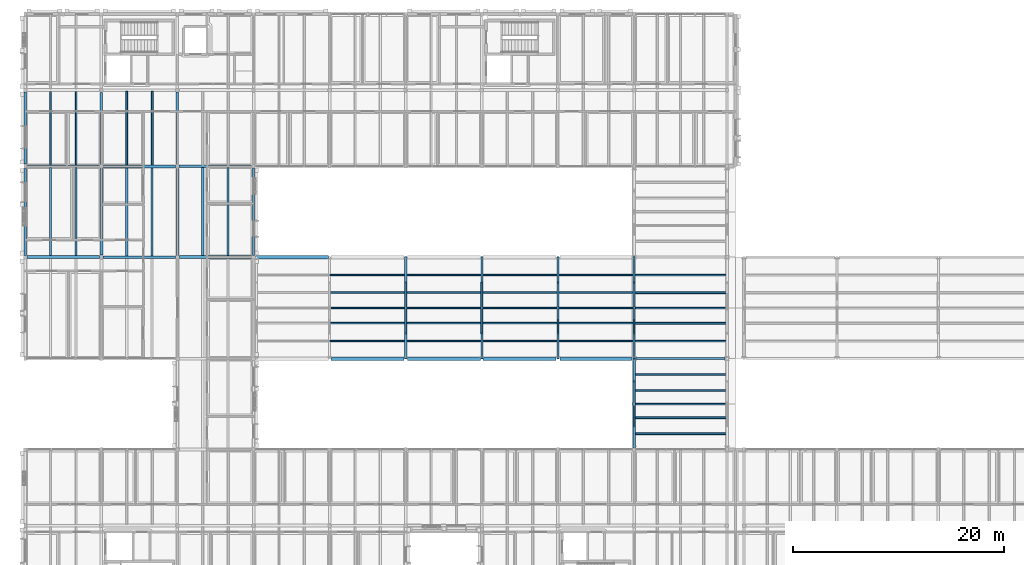
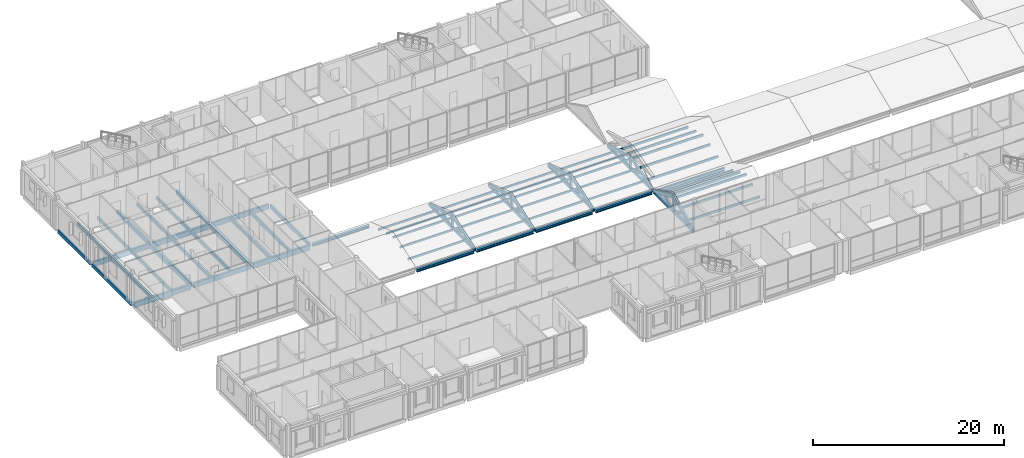
# One storey, part 19 of 115: 60 members, 29 beams.
"""IFC4 building model written with IfcOpenShell, lengths in metres."""

from ifc_helpers import new_model, si_unit, direction, frame, origin, origin_2d, place, context, subcontext, project, spatial, rectangle, i_section, extrude, material, material_profile, profile_set, type_object, element, save


model = new_model("IFC4")

# Units and contexts
model_context = context("Model", 3, precision=1e-05, world=origin(), true_north=direction((0.0, 1.0)))
body_context = subcontext(model_context, "Body", "Model", "MODEL_VIEW")
ifc_project = project(units=[si_unit("LENGTHUNIT", "METRE"), si_unit("AREAUNIT", "SQUARE_METRE"), si_unit("VOLUMEUNIT", "CUBIC_METRE"), si_unit("PLANEANGLEUNIT", "RADIAN"), si_unit("MASSUNIT", "GRAM", prefix="KILO")], contexts=[model_context])

# Site, building, storey
site_placement = place(None, origin())
site = spatial("IfcSite", under=ifc_project, at=site_placement, CompositionType="ELEMENT")
building_placement = place(site_placement, origin())
building = spatial("IfcBuilding", under=site, at=building_placement, Name="Hawrajan Terrace Health Centre", CompositionType="ELEMENT")
storey_placement = place(building_placement, frame((0.0, 0.0, 9.0)))
storey = spatial("IfcBuildingStorey", under=building, at=storey_placement, Name="L02", CompositionType="ELEMENT", Elevation=9.0)

# Beams
ifc_material_1 = material(Name="Glulam GL32h", Category="wood")
ifc_material_profile_1 = material_profile(ifc_material_1, rectangle(XDim=0.239990234375, YDim=0.52001953125, at=origin_2d()), Name="GL BM 240x520")
ifc_profile_set_1 = profile_set([ifc_material_profile_1], Name="Glulam GL32h")
beam_type_1 = type_object("IfcBeamType", Name="GlulamGirder_240x520", PredefinedType="BEAM", material=ifc_profile_set_1)
for number, where, z_axis, x_axis, name in (
    (1, (11.800048828125, 45.580078125, -0.5), (0.0, 1.0, 0.0), (-1.0, 0.0, 0.0), "Beam BM-Y-L02-W-X02-6"),
    (2, (19.0, 45.610107421875, -0.5), (0.0, 1.0, 0.0), (-1.0, 0.0, 0.0), "Beam BM-Y-L02-W-X03-6"),
):
    element("IfcBeam", number, at=place(storey_placement, frame(where, z_axis=z_axis, x_axis=x_axis)), inside=storey, type_object=beam_type_1, Name=name, PredefinedType="BEAM", context=body_context, shape_type="SweptSolid", body=[
        extrude(rectangle(XDim=0.239990234375, YDim=0.52001953125, at=origin_2d()), origin(), (0.0, 0.0, 1.0), 6.809814453125),
    ])
ifc_material_profile_2 = material_profile(ifc_material_1, rectangle(XDim=0.239990234375, YDim=0.60009765625, at=origin_2d()), Name="GL BM 240x600")
ifc_profile_set_2 = profile_set([ifc_material_profile_2], Name="Glulam GL32h")
beam_type_2 = type_object("IfcBeamType", Name="GlulamGirder_240x600", PredefinedType="BEAM", material=ifc_profile_set_2)
for number, where, z_axis, x_axis, name in (
    (3, (4.760009765625, 45.39990234375, -0.5400390625), (1.0, 0.0, 0.0), (0.0, 1.0, 0.0), "Beam BM-X-L02-W-01-Y6"),
    (4, (11.9599609375, 36.800048828125, -0.5400390625), (1.0, 0.0, 0.0), (0.0, 1.0, 0.0), "Beam BM-X-L02-W-02-Y5"),
    (5, (19.159912109375, 45.39990234375, -0.5400390625), (1.0, 0.0, 0.0), (0.0, 1.0, 0.0), "Beam BM-X-L02-W-03-Y6"),
):
    element("IfcBeam", number, at=place(storey_placement, frame(where, z_axis=z_axis, x_axis=x_axis)), inside=storey, type_object=beam_type_2, Name=name, PredefinedType="BEAM", context=body_context, shape_type="SweptSolid", body=[
        extrude(rectangle(XDim=0.239990234375, YDim=0.60009765625, at=origin_2d()), origin(), (0.0, 0.0, 1.0), 6.860107421875),
    ])
ifc_material_profile_3 = material_profile(ifc_material_1, rectangle(XDim=0.280029296875, YDim=0.639892578125, at=origin_2d()), Name="GL BM 280x640")
ifc_profile_set_3 = profile_set([ifc_material_profile_3], Name="Glulam GL32h")
beam_type_3 = type_object("IfcBeamType", Name="GlulamGirder_280x640", PredefinedType="BEAM", material=ifc_profile_set_3)
beam_1_placement = place(storey_placement, frame((4.780029296875, 36.800048828125, -0.56005859375), z_axis=(1.0, 0.0, 0.0), x_axis=(0.0, 1.0, 0.0)))
element("IfcBeam", 6, at=beam_1_placement, inside=storey, type_object=beam_type_3, Name="Beam BM-X-L02-W-01-Y5", PredefinedType="BEAM", context=body_context, shape_type="SweptSolid", body=[
    extrude(rectangle(XDim=0.280029296875, YDim=0.639892578125, at=origin_2d()), origin(), (0.0, 0.0, 1.0), 6.85986328125),
])
beam_2_placement = place(storey_placement, frame((11.97998046875, 45.39990234375, -0.56005859375), z_axis=(1.0, 0.0, 0.0), x_axis=(0.0, 1.0, 0.0)))
element("IfcBeam", 7, at=beam_2_placement, inside=storey, type_object=beam_type_3, Name="Beam BM-X-L02-W-02-Y6", PredefinedType="BEAM", context=body_context, shape_type="SweptSolid", body=[
    extrude(rectangle(XDim=0.280029296875, YDim=0.639892578125, at=origin_2d()), origin(), (0.0, 0.0, 1.0), 6.860107421875),
])
beam_3_placement = place(storey_placement, frame((19.179931640625, 36.800048828125, -0.56005859375), z_axis=(1.0, 0.0, 0.0), x_axis=(0.0, 1.0, 0.0)))
element("IfcBeam", 8, at=beam_3_placement, inside=storey, type_object=beam_type_3, Name="Beam BM-X-L02-W-03-Y5", PredefinedType="BEAM", context=body_context, shape_type="SweptSolid", body=[
    extrude(rectangle(XDim=0.280029296875, YDim=0.639892578125, at=origin_2d()), origin(), (0.0, 0.0, 1.0), 6.840087890625),
])
for number, where, z_axis, x_axis, name in (
    (9, (11.800048828125, 37.010009765625, -0.56005859375), (0.0, 1.0, 0.0), (-1.0, 0.0, 0.0), "Beam BM-Y-L02-W-X02-5"),
    (10, (19.0, 36.97998046875, -0.56005859375), (0.0, 1.0, 0.0), (-1.0, 0.0, 0.0), "Beam BM-Y-L02-W-X03-5"),
):
    element("IfcBeam", number, at=place(storey_placement, frame(where, z_axis=z_axis, x_axis=x_axis)), inside=storey, type_object=beam_type_3, Name=name, PredefinedType="BEAM", context=body_context, shape_type="SweptSolid", body=[
        extrude(rectangle(XDim=0.280029296875, YDim=0.639892578125, at=origin_2d()), origin(), (0.0, 0.0, 1.0), 8.2099609375),
    ])
ifc_material_2 = material(Name="Glulam GL28h", Category="wood")
ifc_material_profile_4 = material_profile(ifc_material_2, rectangle(XDim=0.159912109375, YDim=0.360107421875, at=origin_2d()), Name="GL JST 160x360")
ifc_profile_set_4 = profile_set([ifc_material_profile_4], Name="Glulam GL28h")
beam_type_4 = type_object("IfcBeamType", Name="GlulamJoist_160x360", PredefinedType="JOIST", material=ifc_profile_set_4)
for number, where, z_axis, x_axis, name in (
    (11, (7.0, 45.52001953125, -0.419921875), (0.0, 1.0, 0.0), (-1.0, 0.0, 0.0), "Secondary joist JST-L02-W-01-6-1"),
    (12, (14.199951171875, 45.5400390625, -0.419921875), (0.0, 1.0, 0.0), (-1.0, 0.0, 0.0), "Secondary joist JST-L02-W-02-6-1"),
):
    element("IfcBeam", number, at=place(storey_placement, frame(where, z_axis=z_axis, x_axis=x_axis)), inside=storey, type_object=beam_type_4, Name=name, PredefinedType="JOIST", context=body_context, shape_type="SweptSolid", body=[
        extrude(rectangle(XDim=0.159912109375, YDim=0.360107421875, at=origin_2d()), origin(), (0.0, 0.0, 1.0), 6.93994140625),
    ])
ifc_material_profile_5 = material_profile(ifc_material_2, rectangle(XDim=0.179931640625, YDim=0.39990234375, at=origin_2d()), Name="GL JST 180x400")
ifc_profile_set_5 = profile_set([ifc_material_profile_5], Name="Glulam GL28h")
beam_type_5 = type_object("IfcBeamType", Name="GlulamJoist_180x400", PredefinedType="JOIST", material=ifc_profile_set_5)
for number, where, z_axis, x_axis, name in (
    (13, (9.39990234375, 45.52001953125, -0.43994140625), (0.0, 1.0, 0.0), (-1.0, 0.0, 0.0), "Secondary joist JST-L02-W-01-6-2"),
    (14, (16.60009765625, 45.5400390625, -0.43994140625), (0.0, 1.0, 0.0), (-1.0, 0.0, 0.0), "Secondary joist JST-L02-W-02-6-2"),
):
    element("IfcBeam", number, at=place(storey_placement, frame(where, z_axis=z_axis, x_axis=x_axis)), inside=storey, type_object=beam_type_5, Name=name, PredefinedType="JOIST", context=body_context, shape_type="SweptSolid", body=[
        extrude(rectangle(XDim=0.179931640625, YDim=0.39990234375, at=origin_2d()), origin(), (0.0, 0.0, 1.0), 6.93994140625),
    ])
ifc_material_profile_6 = material_profile(ifc_material_2, rectangle(XDim=0.199951171875, YDim=0.419921875, at=origin_2d()), Name="GL JST 200x420")
ifc_profile_set_6 = profile_set([ifc_material_profile_6], Name="Glulam GL28h")
beam_type_6 = type_object("IfcBeamType", Name="GlulamJoist_200x420", PredefinedType="JOIST", material=ifc_profile_set_6)
for number, where, z_axis, x_axis, name in (
    (15, (7.0, 36.93994140625, -0.449951171875), (0.0, 1.0, 0.0), (-1.0, 0.0, 0.0), "Secondary joist JST-L02-W-01-5-1"),
    (16, (9.39990234375, 36.93994140625, -0.449951171875), (0.0, 1.0, 0.0), (-1.0, 0.0, 0.0), "Secondary joist JST-L02-W-01-5-2"),
    (17, (14.199951171875, 36.919921875, -0.449951171875), (0.0, 1.0, 0.0), (-1.0, 0.0, 0.0), "Secondary joist JST-L02-W-02-5-1"),
    (18, (16.60009765625, 36.919921875, -0.449951171875), (0.0, 1.0, 0.0), (-1.0, 0.0, 0.0), "Secondary joist JST-L02-W-02-5-2"),
    (19, (21.39990234375, 36.93994140625, -0.449951171875), (0.0, 1.0, 0.0), (-1.0, 0.0, 0.0), "Secondary joist JST-L02-W-03-5-1"),
    (20, (23.800048828125, 36.93994140625, -0.449951171875), (0.0, 1.0, 0.0), (-1.0, 0.0, 0.0), "Secondary joist JST-L02-W-03-5-2"),
):
    element("IfcBeam", number, at=place(storey_placement, frame(where, z_axis=z_axis, x_axis=x_axis)), inside=storey, type_object=beam_type_6, Name=name, PredefinedType="JOIST", context=body_context, shape_type="SweptSolid", body=[
        extrude(rectangle(XDim=0.199951171875, YDim=0.419921875, at=origin_2d()), origin(), (0.0, 0.0, 1.0), 8.340087890625),
    ])
ifc_material_profile_7 = material_profile(ifc_material_1, rectangle(XDim=0.199951171875, YDim=0.4599609375, at=origin_2d()), Name="GL SP 200x460")
ifc_profile_set_7 = profile_set([ifc_material_profile_7], Name="Glulam GL32h")
beam_type_7 = type_object("IfcBeamType", Name="GlulamSpandrel_200x460", PredefinedType="SPANDREL", material=ifc_profile_set_7)
beam_4_placement = place(storey_placement, frame((4.60009765625, 36.97998046875, -0.469970703125), z_axis=(0.0, 1.0, 0.0), x_axis=(-1.0, 0.0, 0.0)))
element("IfcBeam", 21, at=beam_4_placement, inside=storey, type_object=beam_type_7, Name="Beam BM-Y-L02-W-X01-5", PredefinedType="SPANDREL", context=body_context, shape_type="SweptSolid", body=[
    extrude(rectangle(XDim=0.199951171875, YDim=0.4599609375, at=origin_2d()), origin(), (0.0, 0.0, 1.0), 8.2099609375),
])
beam_5_placement = place(storey_placement, frame((4.60009765625, 45.610107421875, -0.469970703125), z_axis=(0.0, 1.0, 0.0), x_axis=(-1.0, 0.0, 0.0)))
element("IfcBeam", 22, at=beam_5_placement, inside=storey, type_object=beam_type_7, Name="Beam BM-Y-L02-W-X01-6", PredefinedType="SPANDREL", context=body_context, shape_type="SweptSolid", body=[
    extrude(rectangle(XDim=0.199951171875, YDim=0.4599609375, at=origin_2d()), origin(), (0.0, 0.0, 1.0), 6.809814453125),
])
beam_6_placement = place(storey_placement, frame((26.199951171875, 36.97998046875, -0.469970703125), z_axis=(0.0, 1.0, 0.0), x_axis=(-1.0, 0.0, 0.0)))
element("IfcBeam", 23, at=beam_6_placement, inside=storey, type_object=beam_type_7, Name="Beam BM-Y-L02-W-X04-5", PredefinedType="SPANDREL", context=body_context, shape_type="SweptSolid", body=[
    extrude(rectangle(XDim=0.199951171875, YDim=0.4599609375, at=origin_2d()), origin(), (0.0, 0.0, 1.0), 8.239990234375),
])

# Members
ifc_material_profile_8 = material_profile(ifc_material_2, rectangle(XDim=0.139892578125, YDim=0.239990234375, at=origin_2d()), Name="GL PUR 140x240")
ifc_profile_set_8 = profile_set([ifc_material_profile_8], Name="Glulam GL28h")
member_type_1 = type_object("IfcMemberType", Name="RoofPurlin_140x240", PredefinedType="PURLIN", material=ifc_profile_set_8)
for number, where, z_axis, x_axis, name in (
    (24, (33.39990234375, 28.8798828125, 0.077880859375), (1.0, 0.0, 0.0), (0.0, 1.0, 0.0), "Tent roof purlin 05-TRS-S1"),
    (25, (33.39990234375, 35.1201171875, 0.077880859375), (1.0, 0.0, 0.0), (0.0, 1.0, 0.0), "Tent roof purlin 05-TRS-N1"),
    (26, (33.39990234375, 30.56005859375, 0.595947265625), (1.0, 0.0, 0.0), (0.0, 1.0, 0.0), "Tent roof purlin 05-TRS-S2"),
    (27, (33.39990234375, 33.43994140625, 0.595947265625), (1.0, 0.0, 0.0), (0.0, 1.0, 0.0), "Tent roof purlin 05-TRS-N2"),
    (28, (33.39990234375, 32.0, 0.97998046875), (1.0, 0.0, 0.0), (0.0, 1.0, 0.0), "Tent ridge purlin 05-TRS"),
):
    element("IfcMember", number, at=place(storey_placement, frame(where, z_axis=z_axis, x_axis=x_axis)), inside=storey, type_object=member_type_1, Name=name, PredefinedType="PURLIN", context=body_context, shape_type="SweptSolid", body=[
        extrude(rectangle(XDim=0.139892578125, YDim=0.239990234375, at=origin_2d()), origin(), (0.0, 0.0, 1.0), 7.2001953125),
    ])
for number, where, z_axis, x_axis, name in (
    (29, (40.60009765625, 28.8798828125, 0.077880859375), (1.0, 0.0, 0.0), (0.0, 1.0, 0.0), "Tent roof purlin 06-TRS-S1"),
    (30, (40.60009765625, 35.1201171875, 0.077880859375), (1.0, 0.0, 0.0), (0.0, 1.0, 0.0), "Tent roof purlin 06-TRS-N1"),
    (31, (40.60009765625, 30.56005859375, 0.595947265625), (1.0, 0.0, 0.0), (0.0, 1.0, 0.0), "Tent roof purlin 06-TRS-S2"),
    (32, (40.60009765625, 33.43994140625, 0.595947265625), (1.0, 0.0, 0.0), (0.0, 1.0, 0.0), "Tent roof purlin 06-TRS-N2"),
    (33, (40.60009765625, 32.0, 0.97998046875), (1.0, 0.0, 0.0), (0.0, 1.0, 0.0), "Tent ridge purlin 06-TRS"),
    (34, (47.800048828125, 28.8798828125, 0.077880859375), (1.0, 0.0, 0.0), (0.0, 1.0, 0.0), "Tent roof purlin 07-TRS-S1"),
    (35, (47.800048828125, 35.1201171875, 0.077880859375), (1.0, 0.0, 0.0), (0.0, 1.0, 0.0), "Tent roof purlin 07-TRS-N1"),
    (36, (47.800048828125, 30.56005859375, 0.595947265625), (1.0, 0.0, 0.0), (0.0, 1.0, 0.0), "Tent roof purlin 07-TRS-S2"),
    (37, (47.800048828125, 33.43994140625, 0.595947265625), (1.0, 0.0, 0.0), (0.0, 1.0, 0.0), "Tent roof purlin 07-TRS-N2"),
    (38, (47.800048828125, 32.0, 0.97998046875), (1.0, 0.0, 0.0), (0.0, 1.0, 0.0), "Tent ridge purlin 07-TRS"),
    (39, (55.0, 28.8798828125, 0.077880859375), (1.0, 0.0, 0.0), (0.0, 1.0, 0.0), "Tent roof purlin 08-TRS-S1"),
    (40, (55.0, 35.1201171875, 0.077880859375), (1.0, 0.0, 0.0), (0.0, 1.0, 0.0), "Tent roof purlin 08-TRS-N1"),
    (41, (55.0, 30.56005859375, 0.595947265625), (1.0, 0.0, 0.0), (0.0, 1.0, 0.0), "Tent roof purlin 08-TRS-S2"),
    (42, (55.0, 33.43994140625, 0.595947265625), (1.0, 0.0, 0.0), (0.0, 1.0, 0.0), "Tent roof purlin 08-TRS-N2"),
    (43, (55.0, 32.0, 0.97998046875), (1.0, 0.0, 0.0), (0.0, 1.0, 0.0), "Tent ridge purlin 08-TRS"),
):
    element("IfcMember", number, at=place(storey_placement, frame(where, z_axis=z_axis, x_axis=x_axis)), inside=storey, type_object=member_type_1, Name=name, PredefinedType="PURLIN", context=body_context, shape_type="SweptSolid", body=[
        extrude(rectangle(XDim=0.139892578125, YDim=0.239990234375, at=origin_2d()), origin(), (0.0, 0.0, 1.0), 7.199951171875),
    ])
ifc_material_profile_9 = material_profile(ifc_material_2, rectangle(XDim=0.159912109375, YDim=0.280029296875, at=origin_2d()), Name="GL PUR 160x280")
ifc_profile_set_9 = profile_set([ifc_material_profile_9], Name="Glulam GL28h")
member_type_2 = type_object("IfcMemberType", Name="RoofPurlin_160x280", PredefinedType="PURLIN", material=ifc_profile_set_9)
for number, where, z_axis, x_axis, name in (
    (44, (62.199951171875, 20.10498046875, 0.241455078125), (1.0, 0.0, 0.0), (0.0, 1.0, 0.0), "Tent roof purlin 09-TRL-SC-S1"),
    (45, (62.199951171875, 25.695068359375, 0.241455078125), (1.0, 0.0, 0.0), (0.0, 1.0, 0.0), "Tent roof purlin 09-TRL-SC-N1"),
    (46, (62.199951171875, 21.610107421875, 0.9228515625), (1.0, 0.0, 0.0), (0.0, 1.0, 0.0), "Tent roof purlin 09-TRL-SC-S2"),
    (47, (62.199951171875, 24.18994140625, 0.9228515625), (1.0, 0.0, 0.0), (0.0, 1.0, 0.0), "Tent roof purlin 09-TRL-SC-N2"),
    (48, (62.199951171875, 22.89990234375, 1.447021484375), (1.0, 0.0, 0.0), (0.0, 1.0, 0.0), "Tent ridge purlin 09-TRL-SC"),
    (49, (62.199951171875, 28.8798828125, 0.077880859375), (1.0, 0.0, 0.0), (0.0, 1.0, 0.0), "Tent roof purlin 09-TRL-M-S1"),
    (50, (62.199951171875, 35.1201171875, 0.077880859375), (1.0, 0.0, 0.0), (0.0, 1.0, 0.0), "Tent roof purlin 09-TRL-M-N1"),
    (51, (62.199951171875, 30.56005859375, 0.595947265625), (1.0, 0.0, 0.0), (0.0, 1.0, 0.0), "Tent roof purlin 09-TRL-M-S2"),
    (52, (62.199951171875, 33.43994140625, 0.595947265625), (1.0, 0.0, 0.0), (0.0, 1.0, 0.0), "Tent roof purlin 09-TRL-M-N2"),
    (53, (62.199951171875, 32.0, 0.97998046875), (1.0, 0.0, 0.0), (0.0, 1.0, 0.0), "Tent ridge purlin 09-TRL-M"),
):
    element("IfcMember", number, at=place(storey_placement, frame(where, z_axis=z_axis, x_axis=x_axis)), inside=storey, type_object=member_type_2, Name=name, PredefinedType="PURLIN", context=body_context, shape_type="SweptSolid", body=[
        extrude(rectangle(XDim=0.159912109375, YDim=0.280029296875, at=origin_2d()), origin(), (0.0, 0.0, 1.0), 8.800048828125),
    ])

# Beams
ifc_material_3 = material(Name="Steel S355", Category="steel")
ifc_material_profile_10 = material_profile(ifc_material_3, i_section(OverallWidth=0.300048828125, OverallDepth=0.35009765625, WebThickness=0.010009765625, FlangeThickness=0.017578125, FilletRadius=0.027099609375, at=origin_2d()), Name="HEA 360")
ifc_profile_set_10 = profile_set([ifc_material_profile_10], Name="Steel S355")
beam_type_8 = type_object("IfcBeamType", Name="SteelBeam_HEA360", PredefinedType="BEAM", material=ifc_profile_set_10)
beam_7_placement = place(storey_placement, frame((26.3798828125, 36.800048828125, -0.4150390625), z_axis=(1.0, 0.0, 0.0), x_axis=(0.0, 1.0, 0.0)))
element("IfcBeam", 54, at=beam_7_placement, inside=storey, type_object=beam_type_8, Name="Beam BM-X-L02-W-04-Y5", PredefinedType="BEAM", context=body_context, shape_type="SweptSolid", body=[
    extrude(i_section(OverallWidth=0.300048828125, OverallDepth=0.35009765625, WebThickness=0.010009765625, FlangeThickness=0.017578125, FilletRadius=0.027099609375, at=origin_2d()), origin(), (0.0, 0.0, 1.0), 6.91064453125),
])
for number, where, z_axis, x_axis, name in (
    (55, (33.509521484375, 27.199951171875, -0.375), (1.0, 0.0, 0.0), (0.0, 1.0, 0.0), "Beam BM-X-L02-W-05-Y4"),
    (56, (40.75, 27.199951171875, -0.375), (1.0, 0.0, 0.0), (0.0, 1.0, 0.0), "Beam BM-X-L02-W-06-Y4"),
):
    element("IfcBeam", number, at=place(storey_placement, frame(where, z_axis=z_axis, x_axis=x_axis)), inside=storey, type_object=beam_type_8, Name=name, PredefinedType="BEAM", context=body_context, shape_type="SweptSolid", body=[
        extrude(i_section(OverallWidth=0.300048828125, OverallDepth=0.35009765625, WebThickness=0.010009765625, FlangeThickness=0.017578125, FilletRadius=0.027099609375, at=origin_2d()), origin(), (0.0, 0.0, 1.0), 6.9404296875),
    ])
beam_8_placement = place(storey_placement, frame((47.90966796875, 27.199951171875, -0.375), z_axis=(1.0, 0.0, 0.0), x_axis=(0.0, 1.0, 0.0)))
element("IfcBeam", 57, at=beam_8_placement, inside=storey, type_object=beam_type_8, Name="Beam BM-X-L02-W-07-Y4", PredefinedType="BEAM", context=body_context, shape_type="SweptSolid", body=[
    extrude(i_section(OverallWidth=0.300048828125, OverallDepth=0.35009765625, WebThickness=0.010009765625, FlangeThickness=0.017578125, FilletRadius=0.027099609375, at=origin_2d()), origin(), (0.0, 0.0, 1.0), 6.910400390625),
])
beam_9_placement = place(storey_placement, frame((55.179931640625, 27.199951171875, -0.375), z_axis=(1.0, 0.0, 0.0), x_axis=(0.0, 1.0, 0.0)))
element("IfcBeam", 58, at=beam_9_placement, inside=storey, type_object=beam_type_8, Name="Beam BM-X-L02-W-08-Y4", PredefinedType="BEAM", context=body_context, shape_type="SweptSolid", body=[
    extrude(i_section(OverallWidth=0.300048828125, OverallDepth=0.35009765625, WebThickness=0.010009765625, FlangeThickness=0.017578125, FilletRadius=0.027099609375, at=origin_2d()), origin(), (0.0, 0.0, 1.0), 6.840087890625),
])
ifc_material_profile_11 = material_profile(ifc_material_3, i_section(OverallWidth=0.18994140625, OverallDepth=0.449951171875, WebThickness=0.009521484375, FlangeThickness=0.0146484375, FilletRadius=0.02099609375, at=origin_2d()), Name="IPE 450")
ifc_profile_set_11 = profile_set([ifc_material_profile_11], Name="Steel S355")
beam_type_9 = type_object("IfcBeamType", Name="SteelBeam_IPE450", PredefinedType="BEAM", material=ifc_profile_set_11)
beam_10_placement = place(storey_placement, frame((62.3798828125, 27.199951171875, -0.425048828125), z_axis=(1.0, 0.0, 0.0), x_axis=(0.0, 1.0, 0.0)))
element("IfcBeam", 59, at=beam_10_placement, inside=storey, type_object=beam_type_9, Name="Beam BM-X-L02-W-09-Y4", PredefinedType="BEAM", context=body_context, shape_type="SweptSolid", body=[
    extrude(i_section(OverallWidth=0.18994140625, OverallDepth=0.449951171875, WebThickness=0.009521484375, FlangeThickness=0.0146484375, FilletRadius=0.02099609375, at=origin_2d()), origin(), (0.0, 0.0, 1.0), 8.440185546875),
])

# Members
ifc_material_profile_12 = material_profile(ifc_material_1, rectangle(XDim=0.199951171875, YDim=0.340087890625, at=origin_2d()), Name="GL CHD 200x340")
ifc_profile_set_12 = profile_set([ifc_material_profile_12], Name="Glulam GL32h")
member_type_3 = type_object("IfcMemberType", Name="TrussChord_200x340", PredefinedType="CHORD", material=ifc_profile_set_12)
member_1_placement = place(storey_placement, frame((40.60009765625, 27.199951171875, -0.219970703125), z_axis=(0.0, 1.0, 0.0), x_axis=(-1.0, 0.0, 0.0)))
element("IfcMember", 60, at=member_1_placement, inside=storey, type_object=member_type_3, Name="Glulam truss tie chord W-G06-TRS", PredefinedType="CHORD", context=body_context, shape_type="SweptSolid", body=[
    extrude(rectangle(XDim=0.199951171875, YDim=0.340087890625, at=origin_2d()), origin(), (0.0, 0.0, 1.0), 9.60009765625),
])
for number, where, z_axis, x_axis, name in (
    (61, (40.60009765625, 27.199951171875, -0.219970703125), (0.0, 0.955608602252, 0.294639100089), (-1.0, 0.0, 0.0), "Glulam truss south top chord W-G06-TRS"),
    (62, (40.60009765625, 32.0, 1.260009765625), (0.0, 0.955608602252, -0.294639100089), (-1.0, 0.0, 0.0), "Glulam truss north top chord W-G06-TRS"),
):
    element("IfcMember", number, at=place(storey_placement, frame(where, z_axis=z_axis, x_axis=x_axis)), inside=storey, type_object=member_type_3, Name=name, PredefinedType="CHORD", context=body_context, shape_type="SweptSolid", body=[
        extrude(rectangle(XDim=0.199951171875, YDim=0.340087890625, at=origin_2d()), origin(), (0.0, 0.0, 1.0), 5.02294921875),
    ])
member_2_placement = place(storey_placement, frame((47.800048828125, 27.199951171875, -0.219970703125), z_axis=(0.0, 1.0, 0.0), x_axis=(-1.0, 0.0, 0.0)))
element("IfcMember", 63, at=member_2_placement, inside=storey, type_object=member_type_3, Name="Glulam truss tie chord W-G07-TRS", PredefinedType="CHORD", context=body_context, shape_type="SweptSolid", body=[
    extrude(rectangle(XDim=0.199951171875, YDim=0.340087890625, at=origin_2d()), origin(), (0.0, 0.0, 1.0), 9.60009765625),
])
for number, where, z_axis, x_axis, name in (
    (64, (47.800048828125, 27.199951171875, -0.219970703125), (0.0, 0.955608602252, 0.294639100089), (-1.0, 0.0, 0.0), "Glulam truss south top chord W-G07-TRS"),
    (65, (47.800048828125, 32.0, 1.260009765625), (0.0, 0.955608602252, -0.294639100089), (-1.0, 0.0, 0.0), "Glulam truss north top chord W-G07-TRS"),
):
    element("IfcMember", number, at=place(storey_placement, frame(where, z_axis=z_axis, x_axis=x_axis)), inside=storey, type_object=member_type_3, Name=name, PredefinedType="CHORD", context=body_context, shape_type="SweptSolid", body=[
        extrude(rectangle(XDim=0.199951171875, YDim=0.340087890625, at=origin_2d()), origin(), (0.0, 0.0, 1.0), 5.02294921875),
    ])
member_3_placement = place(storey_placement, frame((55.0, 27.199951171875, -0.219970703125), z_axis=(0.0, 1.0, 0.0), x_axis=(-1.0, 0.0, 0.0)))
element("IfcMember", 66, at=member_3_placement, inside=storey, type_object=member_type_3, Name="Glulam truss tie chord W-G08-TRS", PredefinedType="CHORD", context=body_context, shape_type="SweptSolid", body=[
    extrude(rectangle(XDim=0.199951171875, YDim=0.340087890625, at=origin_2d()), origin(), (0.0, 0.0, 1.0), 9.60009765625),
])
for number, where, z_axis, x_axis, name in (
    (67, (55.0, 27.199951171875, -0.219970703125), (0.0, 0.955608602252, 0.294639100089), (-1.0, 0.0, 0.0), "Glulam truss south top chord W-G08-TRS"),
    (68, (55.0, 32.0, 1.260009765625), (0.0, 0.955608602252, -0.294639100089), (-1.0, 0.0, 0.0), "Glulam truss north top chord W-G08-TRS"),
):
    element("IfcMember", number, at=place(storey_placement, frame(where, z_axis=z_axis, x_axis=x_axis)), inside=storey, type_object=member_type_3, Name=name, PredefinedType="CHORD", context=body_context, shape_type="SweptSolid", body=[
        extrude(rectangle(XDim=0.199951171875, YDim=0.340087890625, at=origin_2d()), origin(), (0.0, 0.0, 1.0), 5.02294921875),
    ])
member_4_placement = place(storey_placement, frame((62.199951171875, 27.199951171875, -0.219970703125), z_axis=(0.0, 1.0, 0.0), x_axis=(-1.0, 0.0, 0.0)))
element("IfcMember", 69, at=member_4_placement, inside=storey, type_object=member_type_3, Name="Glulam truss tie chord W-G09-TRS", PredefinedType="CHORD", context=body_context, shape_type="SweptSolid", body=[
    extrude(rectangle(XDim=0.199951171875, YDim=0.340087890625, at=origin_2d()), origin(), (0.0, 0.0, 1.0), 9.60009765625),
])
for number, where, z_axis, x_axis, name in (
    (70, (62.199951171875, 27.199951171875, -0.219970703125), (0.0, 0.955608602252, 0.294639100089), (-1.0, 0.0, 0.0), "Glulam truss south top chord W-G09-TRS"),
    (71, (62.199951171875, 32.0, 1.260009765625), (0.0, 0.955608602252, -0.294639100089), (-1.0, 0.0, 0.0), "Glulam truss north top chord W-G09-TRS"),
):
    element("IfcMember", number, at=place(storey_placement, frame(where, z_axis=z_axis, x_axis=x_axis)), inside=storey, type_object=member_type_3, Name=name, PredefinedType="CHORD", context=body_context, shape_type="SweptSolid", body=[
        extrude(rectangle(XDim=0.199951171875, YDim=0.340087890625, at=origin_2d()), origin(), (0.0, 0.0, 1.0), 5.02294921875),
    ])
ifc_material_profile_13 = material_profile(ifc_material_1, rectangle(XDim=0.239990234375, YDim=0.43994140625, at=origin_2d()), Name="GL CHD 240x440")
ifc_profile_set_13 = profile_set([ifc_material_profile_13], Name="Glulam GL32h")
member_type_4 = type_object("IfcMemberType", Name="TrussChord_240x440", PredefinedType="CHORD", material=ifc_profile_set_13)
member_5_placement = place(storey_placement, frame((62.199951171875, 18.760009765625, -0.219970703125), z_axis=(0.0, 1.0, 0.0), x_axis=(-1.0, 0.0, 0.0)))
element("IfcMember", 72, at=member_5_placement, inside=storey, type_object=member_type_4, Name="Glulam truss tie chord W-G09-TRL-SC", PredefinedType="CHORD", context=body_context, shape_type="SweptSolid", body=[
    extrude(rectangle(XDim=0.239990234375, YDim=0.43994140625, at=origin_2d()), origin(), (0.0, 0.0, 1.0), 8.43994140625),
])
member_6_placement = place(storey_placement, frame((62.199951171875, 18.760009765625, -0.219970703125), z_axis=(0.0, 0.904916640753, 0.425588854751), x_axis=(-1.0, 0.0, 0.0)))
element("IfcMember", 73, at=member_6_placement, inside=storey, type_object=member_type_4, Name="Glulam truss south top chord W-G09-TRL-SC", PredefinedType="CHORD", context=body_context, shape_type="SweptSolid", body=[
    extrude(rectangle(XDim=0.239990234375, YDim=0.43994140625, at=origin_2d()), origin(), (0.0, 0.0, 1.0), 4.574951171875),
])
member_7_placement = place(storey_placement, frame((62.199951171875, 22.89990234375, 1.72705078125), z_axis=(0.0, 0.910967747983, -0.412477589858), x_axis=(-1.0, 0.0, 0.0)))
element("IfcMember", 74, at=member_7_placement, inside=storey, type_object=member_type_4, Name="Glulam truss north top chord W-G09-TRL-SC", PredefinedType="CHORD", context=body_context, shape_type="SweptSolid", body=[
    extrude(rectangle(XDim=0.239990234375, YDim=0.43994140625, at=origin_2d()), origin(), (0.0, 0.0, 1.0), 4.72021484375),
])
ifc_material_profile_14 = material_profile(ifc_material_2, rectangle(XDim=0.239990234375, YDim=0.239990234375, at=origin_2d()), Name="GL KP 240x240")
ifc_profile_set_14 = profile_set([ifc_material_profile_14], Name="Glulam GL28h")
member_type_5 = type_object("IfcMemberType", Name="TrussKingPost_240x240", PredefinedType="STRUT", material=ifc_profile_set_14)
for number, where, z_axis, x_axis, name in (
    (75, (40.60009765625, 32.0, -0.219970703125), (0.0, 0.0, 1.0), (1.0, 0.0, 0.0), "Glulam truss king post W-G06-TRS"),
    (76, (47.800048828125, 32.0, -0.219970703125), (0.0, 0.0, 1.0), (1.0, 0.0, 0.0), "Glulam truss king post W-G07-TRS"),
    (77, (55.0, 32.0, -0.219970703125), (0.0, 0.0, 1.0), (1.0, 0.0, 0.0), "Glulam truss king post W-G08-TRS"),
    (78, (62.199951171875, 32.0, -0.219970703125), (0.0, 0.0, 1.0), (1.0, 0.0, 0.0), "Glulam truss king post W-G09-TRS"),
):
    element("IfcMember", number, at=place(storey_placement, frame(where, z_axis=z_axis, x_axis=x_axis)), inside=storey, type_object=member_type_5, Name=name, PredefinedType="STRUT", context=body_context, shape_type="SweptSolid", body=[
        extrude(rectangle(XDim=0.239990234375, YDim=0.239990234375, at=origin_2d()), origin(), (0.0, 0.0, 1.0), 1.47998046875),
    ])
ifc_material_profile_15 = material_profile(ifc_material_2, rectangle(XDim=0.280029296875, YDim=0.280029296875, at=origin_2d()), Name="GL KP 280x280")
ifc_profile_set_15 = profile_set([ifc_material_profile_15], Name="Glulam GL28h")
member_type_6 = type_object("IfcMemberType", Name="TrussKingPost_280x280", PredefinedType="STRUT", material=ifc_profile_set_15)
member_8_placement = place(storey_placement, frame((62.199951171875, 22.89990234375, -0.219970703125), z_axis=(0.0, 0.0, 1.0), x_axis=(1.0, 0.0, 0.0)))
element("IfcMember", 79, at=member_8_placement, inside=storey, type_object=member_type_6, Name="Glulam truss king post W-G09-TRL-SC", PredefinedType="STRUT", context=body_context, shape_type="SweptSolid", body=[
    extrude(rectangle(XDim=0.280029296875, YDim=0.280029296875, at=origin_2d()), origin(), (0.0, 0.0, 1.0), 1.947021484375),
])
ifc_material_profile_16 = material_profile(ifc_material_2, rectangle(XDim=0.159912109375, YDim=0.239990234375, at=origin_2d()), Name="GL WEB 160x240")
ifc_profile_set_16 = profile_set([ifc_material_profile_16], Name="Glulam GL28h")
member_type_7 = type_object("IfcMemberType", Name="TrussStrut_160x240", PredefinedType="STRUT", material=ifc_profile_set_16)
for number, where, z_axis, x_axis, name in (
    (80, (40.60009765625, 32.0, -0.219970703125), (0.0, -0.955604382515, 0.294652785697), (1.0, 0.0, 0.0), "Glulam truss web strut S W-G06-TRS"),
    (81, (40.60009765625, 32.0, -0.219970703125), (0.0, 0.955604382515, 0.294652785697), (-1.0, 0.0, 0.0), "Glulam truss web strut N W-G06-TRS"),
    (82, (47.800048828125, 32.0, -0.219970703125), (0.0, -0.955604382515, 0.294652785697), (1.0, 0.0, 0.0), "Glulam truss web strut S W-G07-TRS"),
    (83, (47.800048828125, 32.0, -0.219970703125), (0.0, 0.955604382515, 0.294652785697), (-1.0, 0.0, 0.0), "Glulam truss web strut N W-G07-TRS"),
    (84, (55.0, 32.0, -0.219970703125), (0.0, -0.955604382515, 0.294652785697), (1.0, 0.0, 0.0), "Glulam truss web strut S W-G08-TRS"),
    (85, (55.0, 32.0, -0.219970703125), (0.0, 0.955604382515, 0.294652785697), (-1.0, 0.0, 0.0), "Glulam truss web strut N W-G08-TRS"),
    (86, (62.199951171875, 32.0, -0.219970703125), (0.0, -0.955604382515, 0.294652785697), (1.0, 0.0, 0.0), "Glulam truss web strut S W-G09-TRS"),
    (87, (62.199951171875, 32.0, -0.219970703125), (0.0, 0.955604382515, 0.294652785697), (-1.0, 0.0, 0.0), "Glulam truss web strut N W-G09-TRS"),
):
    element("IfcMember", number, at=place(storey_placement, frame(where, z_axis=z_axis, x_axis=x_axis)), inside=storey, type_object=member_type_7, Name=name, PredefinedType="STRUT", context=body_context, shape_type="SweptSolid", body=[
        extrude(rectangle(XDim=0.159912109375, YDim=0.239990234375, at=origin_2d()), origin(), (0.0, 0.0, 1.0), 2.511474609375),
    ])
ifc_material_profile_17 = material_profile(ifc_material_2, rectangle(XDim=0.179931640625, YDim=0.280029296875, at=origin_2d()), Name="GL WEB 180x280")
ifc_profile_set_17 = profile_set([ifc_material_profile_17], Name="Glulam GL28h")
member_type_8 = type_object("IfcMemberType", Name="TrussStrut_180x280", PredefinedType="STRUT", material=ifc_profile_set_17)
member_9_placement = place(storey_placement, frame((62.199951171875, 22.89990234375, -0.219970703125), z_axis=(0.0, -0.904927527583, 0.425565705647), x_axis=(1.0, 0.0, 0.0)))
element("IfcMember", 88, at=member_9_placement, inside=storey, type_object=member_type_8, Name="Glulam truss web strut S W-G09-TRL-SC", PredefinedType="STRUT", context=body_context, shape_type="SweptSolid", body=[
    extrude(rectangle(XDim=0.179931640625, YDim=0.280029296875, at=origin_2d()), origin(), (0.0, 0.0, 1.0), 2.287353515625),
])
member_10_placement = place(storey_placement, frame((62.199951171875, 22.89990234375, -0.219970703125), z_axis=(0.0, 0.910995979356, 0.412415234438), x_axis=(-1.0, 0.0, 0.0)))
element("IfcMember", 89, at=member_10_placement, inside=storey, type_object=member_type_8, Name="Glulam truss web strut N W-G09-TRL-SC", PredefinedType="STRUT", context=body_context, shape_type="SweptSolid", body=[
    extrude(rectangle(XDim=0.179931640625, YDim=0.280029296875, at=origin_2d()), origin(), (0.0, 0.0, 1.0), 2.360107421875),
])

save(model, "model.ifc")
